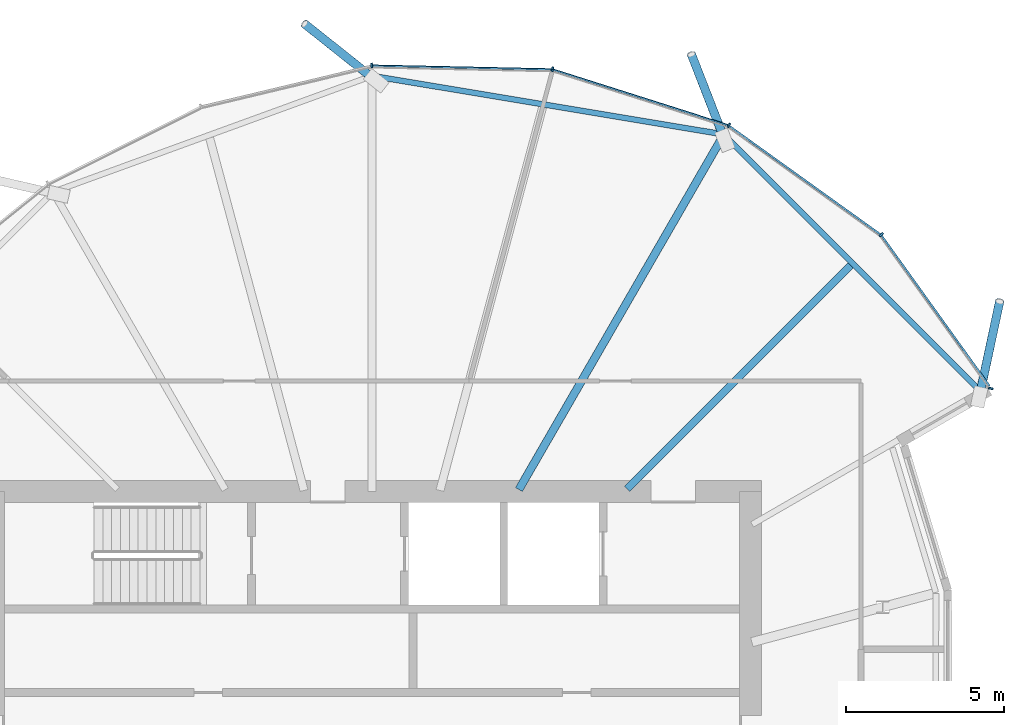
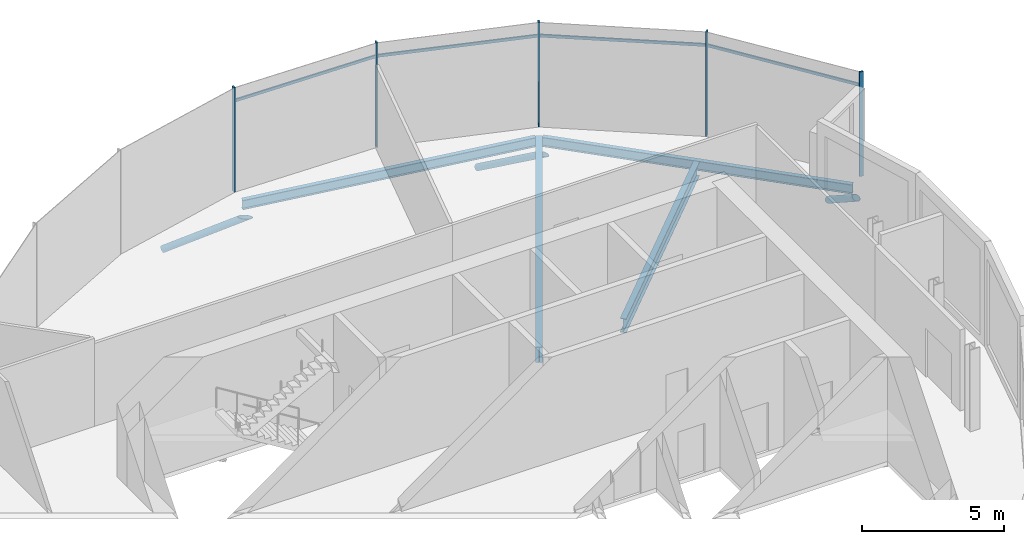
# One storey, part 16 of 36: 12 members, 4 beams, 1 element without a shape of its own.
"""IFC4 building model written with IfcOpenShell, lengths in metres."""

from ifc_helpers import new_model, si_unit, direction, frame, origin, origin_2d, place, context, subcontext, project, spatial, rectangle, hollow_circle, i_section, extrude, clip, halfspace, material, material_profile, profile_set, type_object, element, aggregate, save


model = new_model("IFC4")

# Units and contexts
model_context = context("Model", 3, precision=1e-05, world=origin(), true_north=direction((0.0, 1.0)))
body_context = subcontext(model_context, "Body", "Model", "MODEL_VIEW")
ifc_project = project(units=[si_unit("LENGTHUNIT", "METRE"), si_unit("AREAUNIT", "SQUARE_METRE"), si_unit("VOLUMEUNIT", "CUBIC_METRE"), si_unit("PLANEANGLEUNIT", "RADIAN"), si_unit("MASSUNIT", "GRAM", prefix="KILO")], contexts=[model_context])

# Site, building, storey
site_placement = place(None, origin())
site = spatial("IfcSite", under=ifc_project, at=site_placement, CompositionType="ELEMENT")
building_placement = place(site_placement, origin())
building = spatial("IfcBuilding", under=site, at=building_placement, Name="Rimbun Link Towers", CompositionType="ELEMENT")
storey_placement = place(building_placement, frame((0.0, 0.0, 154.39990234375)))
storey = spatial("IfcBuildingStorey", under=building, at=storey_placement, Name="L37", CompositionType="ELEMENT", Elevation=154.39990234375)

# Curtain wall, members
ifc_material_1 = material(Name="Aluminium 6063-T6 and low-iron glass", Category="aluminium")
curtain_wall_type = type_object("IfcCurtainWallType", Name="CW5 full height lobby wall", PredefinedType="NOTDEFINED", material=ifc_material_1)
curtain_wall_placement = place(storey_placement, origin())
curtain_wall = element("IfcCurtainWall", 1, at=curtain_wall_placement, inside=storey, type_object=curtain_wall_type, Name="CW5 L37 T2", PredefinedType="NOTDEFINED")
ifc_material_2 = material(Name="Aluminium 6063-T6", Category="aluminium")
ifc_material_profile_1 = material_profile(ifc_material_2, rectangle(XDim=0.14990234375, YDim=0.06005859375, at=origin_2d()), Name="MULLION 60X150")
ifc_profile_set_1 = profile_set([ifc_material_profile_1], Name="Aluminium 6063-T6")
member_type_1 = type_object("IfcMemberType", Name="CW5 mullion 60X150", PredefinedType="MULLION", material=ifc_profile_set_1)
member_1_placement = place(storey_placement, frame((43.064697265625, 19.6064453125, 0.0), z_axis=(0.0, 0.0, 1.0), x_axis=(0.448570078695, 0.893747662654, 0.0)))
member_1 = element("IfcMember", 2, at=member_1_placement, type_object=member_type_1, Name="CW5 mullion", PredefinedType="MULLION", context=body_context, shape_type="SweptSolid", body=[
    extrude(rectangle(XDim=0.14990234375, YDim=0.06005859375, at=origin_2d()), origin(), (0.0, 0.0, 1.0), 4.5),
])
member_2_placement = place(storey_placement, frame((47.89208984375, 16.14208984375, 0.0), z_axis=(0.0, 0.0, 1.0), x_axis=(0.707106781187, 0.707106781187, 0.0)))
member_2 = element("IfcMember", 3, at=member_2_placement, type_object=member_type_1, Name="CW5 mullion", PredefinedType="MULLION", context=body_context, shape_type="SweptSolid", body=[
    extrude(rectangle(XDim=0.14990234375, YDim=0.06005859375, at=origin_2d()), origin(), (0.0, 0.0, 1.0), 4.5),
])
member_3_placement = place(storey_placement, frame((37.472412109375, 21.385009765625, 0.0), z_axis=(0.0, 0.0, 1.0), x_axis=(0.163742365799, 0.986503136154, 0.0)))
member_3 = element("IfcMember", 4, at=member_3_placement, type_object=member_type_1, Name="CW5 mullion", PredefinedType="MULLION", context=body_context, shape_type="SweptSolid", body=[
    extrude(rectangle(XDim=0.14990234375, YDim=0.06005859375, at=origin_2d()), origin(), (0.0, 0.0, 1.0), 4.5),
])
member_4_placement = place(storey_placement, frame((31.741943359375, 21.505859375, 0.0), z_axis=(0.0, 0.0, 1.0), x_axis=(-0.106633389337, 0.994298406052, 0.0)))
member_4 = element("IfcMember", 5, at=member_4_placement, type_object=member_type_1, Name="CW5 mullion", PredefinedType="MULLION", context=body_context, shape_type="SweptSolid", body=[
    extrude(rectangle(XDim=0.14990234375, YDim=0.06005859375, at=origin_2d()), origin(), (0.0, 0.0, 1.0), 4.5),
])
member_5_placement = place(storey_placement, frame((51.362548828125, 11.26513671875, 0.0), z_axis=(0.0, 0.0, 1.0), x_axis=(0.97753073897, -0.210792918214, 0.0)))
member_5 = element("IfcMember", 6, at=member_5_placement, type_object=member_type_1, Name="CW5 mullion", PredefinedType="MULLION", context=body_context, shape_type="SweptSolid", body=[
    extrude(rectangle(XDim=0.14990234375, YDim=0.06005859375, at=origin_2d()), origin(), (0.0, 0.0, 1.0), 4.5),
])
ifc_material_3 = material(Name="Aluminium 6063-T6", Category="aluminium")
ifc_material_profile_2 = material_profile(ifc_material_3, rectangle(XDim=0.06005859375, YDim=0.1201171875, at=origin_2d()), Name="TRANSOM 60X120")
ifc_profile_set_2 = profile_set([ifc_material_profile_2], Name="Aluminium 6063-T6")
member_type_2 = type_object("IfcMemberType", Name="CW5 transom 60X120", PredefinedType="USERDEFINED", material=ifc_profile_set_2)
member_6_placement = place(storey_placement, frame((43.091552734375, 19.572265625, 3.900146484375), z_axis=(0.812455850342, -0.583022719321, 0.0), x_axis=(0.583022719321, 0.812455850342, 0.0)))
member_6 = element("IfcMember", 7, at=member_6_placement, type_object=member_type_2, Name="CW5 transom", ObjectType="TRANSOM", PredefinedType="USERDEFINED", context=body_context, shape_type="SweptSolid", body=[
    extrude(rectangle(XDim=0.06005859375, YDim=0.1201171875, at=origin_2d()), origin(), (0.0, 0.0, 1.0), 5.85791015625),
])
member_7_placement = place(storey_placement, frame((37.507568359375, 21.36083984375, 3.900146484375), z_axis=(0.952972319838, -0.303057350384, 0.0), x_axis=(0.303057350384, 0.952972319838, 0.0)))
member_7 = element("IfcMember", 8, at=member_7_placement, type_object=member_type_2, Name="CW5 transom", ObjectType="TRANSOM", PredefinedType="USERDEFINED", context=body_context, shape_type="SweptSolid", body=[
    extrude(rectangle(XDim=0.06005859375, YDim=0.1201171875, at=origin_2d()), origin(), (0.0, 0.0, 1.0), 5.78564453125),
])
member_8_placement = place(storey_placement, frame((31.78125, 21.49267578125, 3.900146484375), z_axis=(0.999777758305, -0.021081603338, 0.0), x_axis=(0.021081603338, 0.999777758305, 0.0)))
member_8 = element("IfcMember", 9, at=member_8_placement, type_object=member_type_2, Name="CW5 transom", ObjectType="TRANSOM", PredefinedType="USERDEFINED", context=body_context, shape_type="SweptSolid", body=[
    extrude(rectangle(XDim=0.06005859375, YDim=0.1201171875, at=origin_2d()), origin(), (0.0, 0.0, 1.0), 5.6513671875),
])
member_9_placement = place(storey_placement, frame((47.906982421875, 16.100830078125, 3.900146484375), z_axis=(0.583022719321, -0.812455850342, 0.0), x_axis=(0.812455850342, 0.583022719321, 0.0)))
member_9 = element("IfcMember", 10, at=member_9_placement, type_object=member_type_2, Name="CW5 transom", ObjectType="TRANSOM", PredefinedType="USERDEFINED", context=body_context, shape_type="SweptSolid", body=[
    extrude(rectangle(XDim=0.06005859375, YDim=0.1201171875, at=origin_2d()), origin(), (0.0, 0.0, 1.0), 5.85791015625),
])
aggregate(curtain_wall, [member_1, member_2, member_3, member_4, member_5, member_6, member_7, member_8, member_9])

# Members
ifc_material_4 = material(Name="Steel S355J2H", Category="steel")
ifc_material_profile_3 = material_profile(ifc_material_4, hollow_circle(Radius=0.136474609375, WallThickness=0.012451171875, at=origin_2d()), Name="CHS 273x12.5")
ifc_profile_set_3 = profile_set([ifc_material_profile_3], Name="Steel S355J2H")
member_type_3 = type_object("IfcMemberType", Name="Floor edge link CHS 273x12.5", PredefinedType="BRACE", material=ifc_profile_set_3)
member_10_placement = place(storey_placement, frame((42.878173828125, 19.2744140625, -0.97900390625), z_axis=(-0.306644876645, 0.788271674917, -0.53347604084), x_axis=(-0.931966812891, -0.362543596922, 0.0)))
element("IfcMember", 11, at=member_10_placement, inside=storey, type_object=member_type_3, Name="Floor edge link T2 L37 01", PredefinedType="BRACE", context=body_context, shape_type="Clipping", body=[
    clip(extrude(hollow_circle(Radius=0.136474609375, WallThickness=0.012451171875, at=origin_2d()), frame((0.0, 0.0, -0.451416015625)), (0.0, 0.0, 1.0), 3.742919921875), halfspace(frame((0.0, 0.0, -0.212890625), z_axis=(0.0, 0.845815177122, -0.53347604084)), False)),
])
member_11_placement = place(storey_placement, frame((31.75, 21.124267578125, -0.98193359375), z_axis=(-0.679408888326, 0.540187656346, -0.496589225009), x_axis=(-0.622346276515, -0.782742046979, 0.0)))
element("IfcMember", 12, at=member_11_placement, inside=storey, type_object=member_type_3, Name="Floor edge link T2 L37 03", PredefinedType="BRACE", context=body_context, shape_type="Clipping", body=[
    clip(extrude(hollow_circle(Radius=0.136474609375, WallThickness=0.012451171875, at=origin_2d()), frame((0.0, 0.0, -0.497314453125)), (0.0, 0.0, 1.0), 3.655517578125), halfspace(frame((0.0, 0.0, -0.234619140625), z_axis=(0.0, 0.86798568053, -0.496589225009)), False)),
])
member_12_placement = place(storey_placement, frame((51.0244140625, 11.128173828125, -0.74560546875), z_axis=(0.171805382301, 0.804097775138, -0.569130634065), x_axis=(-0.977927144456, 0.208946165642, 0.0)))
element("IfcMember", 13, at=member_12_placement, inside=storey, type_object=member_type_3, Name="Floor edge link T2 L37 23", PredefinedType="BRACE", context=body_context, shape_type="Clipping", body=[
    clip(extrude(hollow_circle(Radius=0.136474609375, WallThickness=0.012451171875, at=origin_2d()), frame((0.0, 0.0, -0.412109375)), (0.0, 0.0, 1.0), 4.030029296875), halfspace(frame((0.0, 0.0, -0.19384765625), z_axis=(0.0, 0.822247116972, -0.569130634065)), False)),
])

# Beams
ifc_material_5 = material(Name="Steel S355J2", Category="steel")
ifc_material_profile_4 = material_profile(ifc_material_5, i_section(OverallWidth=0.177978515625, OverallDepth=0.406494140625, WebThickness=0.0078125, FlangeThickness=0.0126953125, at=origin_2d()), Name="UB 406x178x60")
ifc_profile_set_4 = profile_set([ifc_material_profile_4], Name="Steel S355J2")
beam_type_1 = type_object("IfcBeamType", Name="UB 406x178x60", PredefinedType="BEAM", material=ifc_profile_set_4)
beam_1_placement = place(storey_placement, frame((42.768310546875, 19.340087890625, -0.383056640625), z_axis=(-0.986428565944, 0.16419099942, 0.0), x_axis=(-0.16419099942, -0.986428565944, 0.0)))
element("IfcBeam", 14, at=beam_1_placement, inside=storey, type_object=beam_type_1, Name="Edge beam T2 L37 01-03", PredefinedType="BEAM", context=body_context, shape_type="SweptSolid", body=[
    extrude(i_section(OverallWidth=0.177978515625, OverallDepth=0.406494140625, WebThickness=0.0078125, FlangeThickness=0.0126953125, at=origin_2d()), origin(), (0.0, 0.0, 1.0), 11.04052734375),
])
beam_2_placement = place(storey_placement, frame((50.997314453125, 11.223388671875, -0.383056640625), z_axis=(-0.707106781187, 0.707106781187, 0.0), x_axis=(-0.707106781187, -0.707106781187, 0.0)))
element("IfcBeam", 15, at=beam_2_placement, inside=storey, type_object=beam_type_1, Name="Edge beam T2 L37 23-01", PredefinedType="BEAM", context=body_context, shape_type="SweptSolid", body=[
    extrude(i_section(OverallWidth=0.177978515625, OverallDepth=0.406494140625, WebThickness=0.0078125, FlangeThickness=0.0126953125, at=origin_2d()), origin(), (0.0, 0.0, 1.0), 11.314697265625),
])
ifc_material_6 = material(Name="Steel S355J2", Category="steel")
ifc_material_profile_5 = material_profile(ifc_material_6, i_section(OverallWidth=0.2275390625, OverallDepth=0.6025390625, WebThickness=0.010498046875, FlangeThickness=0.014892578125, at=origin_2d()), Name="UB 610x229x101")
ifc_profile_set_5 = profile_set([ifc_material_profile_5], Name="Steel S355J2")
beam_type_2 = type_object("IfcBeamType", Name="UB 610x229x101", PredefinedType="BEAM", material=ifc_profile_set_5)
beam_3_placement = place(storey_placement, frame((39.831298828125, 8.081298828125, -0.481201171875), z_axis=(0.707106781187, 0.707106781187, 0.0), x_axis=(-0.707106781187, 0.707106781187, 0.0)))
element("IfcBeam", 16, at=beam_3_placement, inside=storey, type_object=beam_type_2, Name="Radial beam T2 L37 00", PredefinedType="BEAM", context=body_context, shape_type="SweptSolid", body=[
    extrude(i_section(OverallWidth=0.2275390625, OverallDepth=0.6025390625, WebThickness=0.010498046875, FlangeThickness=0.014892578125, at=origin_2d()), origin(), (0.0, 0.0, 1.0), 10.02734375),
])
ifc_material_7 = material(Name="Steel S355J2", Category="steel")
ifc_material_profile_6 = material_profile(ifc_material_7, i_section(OverallWidth=0.253662109375, OverallDepth=0.68359375, WebThickness=0.012451171875, FlangeThickness=0.01904296875, at=origin_2d()), Name="UB 686x254x140")
ifc_profile_set_6 = profile_set([ifc_material_profile_6], Name="Steel S355J2")
beam_type_3 = type_object("IfcBeamType", Name="UB 686x254x140", PredefinedType="BEAM", material=ifc_profile_set_6)
beam_4_placement = place(storey_placement, frame((36.406005859375, 8.064208984375, -0.521484375), z_axis=(0.499994598707, 0.8660285222, 0.0), x_axis=(-0.8660285222, 0.499994598707, 0.0)))
element("IfcBeam", 17, at=beam_4_placement, inside=storey, type_object=beam_type_3, Name="Radial beam T2 L37 01", PredefinedType="BEAM", context=body_context, shape_type="SweptSolid", body=[
    extrude(i_section(OverallWidth=0.253662109375, OverallDepth=0.68359375, WebThickness=0.012451171875, FlangeThickness=0.01904296875, at=origin_2d()), origin(), (0.0, 0.0, 1.0), 12.994384765625),
])

save(model, "model.ifc")
